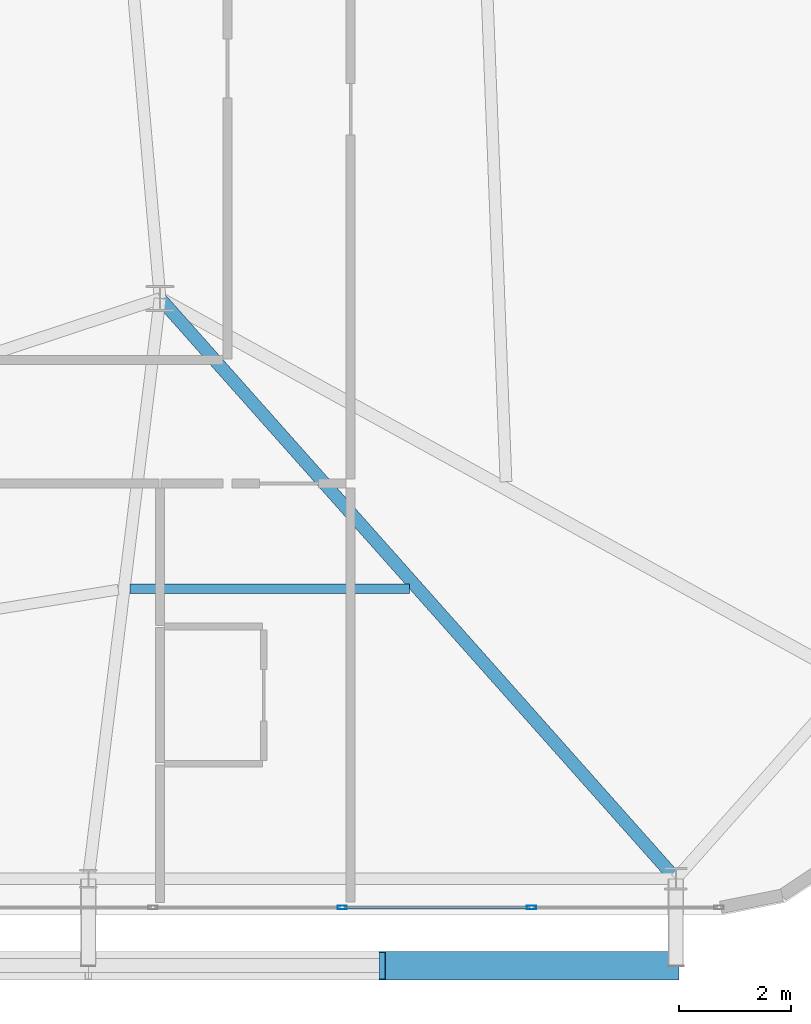
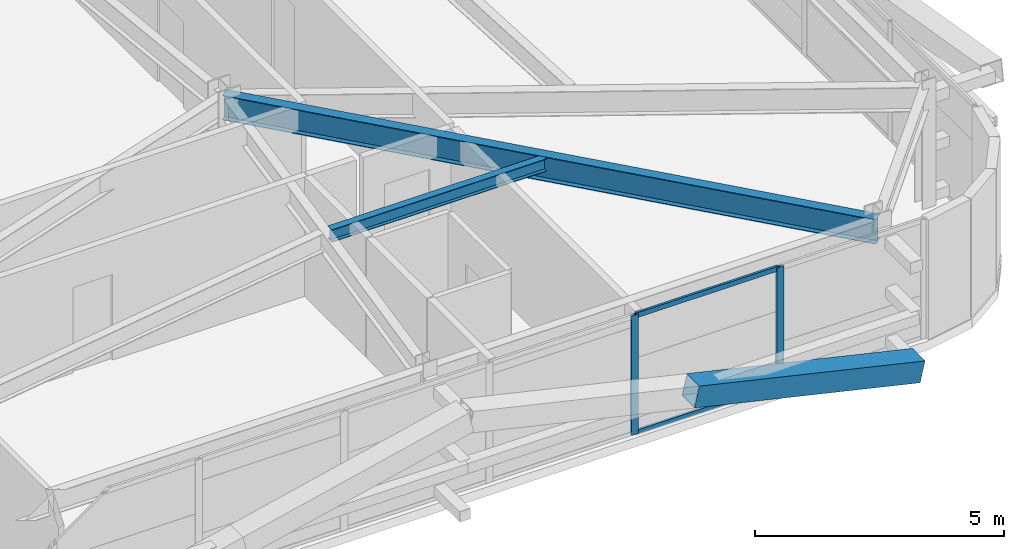
# One storey, part 23 of 58: 5 members, 2 beams, 1 element without a shape of its own.
"""IFC4 building model written with IfcOpenShell, lengths in metres."""

from ifc_helpers import new_model, si_unit, direction, frame, origin, origin_2d, place, context, subcontext, project, spatial, hollow_rectangle, i_section, extrude, source, transform, mapped, material, layer, layer_set, material_profile, profile_set, type_object, element, aggregate, save


model = new_model("IFC4")

# Units and contexts
model_context = context("Model", 3, precision=1e-05, world=origin(), true_north=direction((0.0, 1.0)))
body_context = subcontext(model_context, "Body", "Model", "MODEL_VIEW")
ifc_project = project(units=[si_unit("LENGTHUNIT", "METRE"), si_unit("AREAUNIT", "SQUARE_METRE"), si_unit("VOLUMEUNIT", "CUBIC_METRE"), si_unit("PLANEANGLEUNIT", "RADIAN"), si_unit("MASSUNIT", "GRAM", prefix="KILO")], contexts=[model_context])

# Site, building, storey
site_placement = place(None, origin())
site = spatial("IfcSite", under=ifc_project, at=site_placement, CompositionType="ELEMENT")
building_placement = place(site_placement, origin())
building = spatial("IfcBuilding", under=site, at=building_placement, Name="Taldren Reach Tower", CompositionType="ELEMENT")
storey_placement = place(building_placement, frame((0.0, 0.0, 32.550048828125)))
storey = spatial("IfcBuildingStorey", under=building, at=storey_placement, Name="L09", CompositionType="ELEMENT", Elevation=32.550048828125)

# Beams
ifc_material_1 = material(Name="Steel Gr 350 (350PLUS)", Category="steel")
ifc_material_profile_1 = material_profile(ifc_material_1, i_section(OverallWidth=0.22802734375, OverallDepth=0.60205078125, WebThickness=0.010498046875, FlangeThickness=0.014892578125, at=origin_2d()), Name="610UB101")
ifc_profile_set_1 = profile_set([ifc_material_profile_1], Name="Steel Gr 350 (350PLUS)")
beam_type_1 = type_object("IfcBeamType", Name="BM-UB610B", PredefinedType="BEAM", material=ifc_profile_set_1)
shared_shape_1 = source(origin(), body_context, "Body", "SweptSolid", [
    extrude(i_section(OverallWidth=0.22802734375, OverallDepth=0.60205078125, WebThickness=0.010498046875, FlangeThickness=0.014892578125, at=origin_2d()), origin(), (0.0, 0.0, 1.0), 13.847900390625),
])
beam_1_placement = place(storey_placement, frame((52.0, 12.5, 2.62890625), z_axis=(0.664358367375, -0.747414182164, 0.0), x_axis=(0.747414182164, 0.664358367375, 0.0)))
element("IfcBeam", 1, at=beam_1_placement, inside=storey, type_object=beam_type_1, Name="Primary floor girder B1-S6 L09", PredefinedType="BEAM", context=body_context, shape_type="MappedRepresentation", body=[
    mapped(shared_shape_1, transform((0.0, 0.0, 0.0), scale=1.0)),
])
ifc_material_2 = material(Name="Steel Gr 300 (300PLUS, 300 MPa)", Category="steel")
ifc_material_profile_2 = material_profile(ifc_material_2, i_section(OverallWidth=0.166015625, OverallDepth=0.306884765625, WebThickness=0.006591796875, FlangeThickness=0.01171875, at=origin_2d()), Name="310UB46.2")
ifc_profile_set_2 = profile_set([ifc_material_profile_2], Name="Steel Gr 300 (300PLUS, 300 MPa)")
beam_type_2 = type_object("IfcBeamType", Name="JS-UB310", PredefinedType="JOIST", material=ifc_profile_set_2)
shared_shape_2 = source(origin(), body_context, "Body", "SweptSolid", [
    extrude(i_section(OverallWidth=0.166015625, OverallDepth=0.306884765625, WebThickness=0.006591796875, FlangeThickness=0.01171875, at=origin_2d()), origin(), (0.0, 0.0, 1.0), 4.982177734375),
])
beam_2_placement = place(storey_placement, frame((51.46533203125, 7.324951171875, 2.7763671875), z_axis=(1.0, 0.0, 0.0), x_axis=(0.0, 1.0, 0.0)))
element("IfcBeam", 2, at=beam_2_placement, inside=storey, type_object=beam_type_2, Name="Secondary floor joist B1 J5 L09", PredefinedType="JOIST", context=body_context, shape_type="MappedRepresentation", body=[
    mapped(shared_shape_2, transform((0.0, 0.0, 0.0), scale=1.0)),
])

# Member
ifc_material_3 = material(Name="Steel Gr 450 (C450L0)", Category="steel")
ifc_material_profile_3 = material_profile(ifc_material_3, hollow_rectangle(XDim=0.510009765625, YDim=0.510009765625, WallThickness=0.02001953125, at=origin_2d()), Name="510x510x20.0SHS")
ifc_profile_set_3 = profile_set([ifc_material_profile_3], Name="Steel Gr 450 (C450L0)")
member_type_1 = type_object("IfcMemberType", Name="MB-EXO508", PredefinedType="BRACE", material=ifc_profile_set_3)
shared_shape_3 = source(origin(), body_context, "Body", "SweptSolid", [
    extrude(hollow_rectangle(XDim=0.510009765625, YDim=0.510009765625, WallThickness=0.02001953125, at=origin_2d()), origin(), (0.0, 0.0, 1.0), 5.37890625),
])
member_1_placement = place(storey_placement, frame((61.199951171875, 0.60009765625, 0.219970703125), z_axis=(-0.97415197996, 0.0, 0.225893603143), x_axis=(0.0, -1.0, 0.0)))
element("IfcMember", 3, at=member_1_placement, inside=storey, type_object=member_type_1, Name="Exoskeleton Diagrid Brace B1-S5 L09", PredefinedType="BRACE", context=body_context, shape_type="MappedRepresentation", body=[
    mapped(shared_shape_3, transform((0.0, 0.0, 0.0), scale=1.0)),
])

# Curtain wall, members
ifc_material_4 = material(Name="Aluminium and Low-E Glass Unitised System", Category="aluminium")
ifc_layer = layer(ifc_material_4, 0.159912109375)
ifc_layer_set = layer_set([ifc_layer], Name="Aluminium and Low-E Glass Unitised System")
curtain_wall_type = type_object("IfcCurtainWallType", Name="CW-SYS-2", PredefinedType="NOTDEFINED", material=ifc_layer_set)
curtain_wall_placement = place(storey_placement, origin())
curtain_wall = element("IfcCurtainWall", 4, at=curtain_wall_placement, inside=storey, type_object=curtain_wall_type, Name="Unitised curtain wall CW-L09-S", PredefinedType="NOTDEFINED")
ifc_material_5 = material(Name="Anodised Aluminium 6063-T6", Category="aluminium")
ifc_material_profile_4 = material_profile(ifc_material_5, hollow_rectangle(XDim=0.06494140625, YDim=0.1650390625, WallThickness=0.00390625, at=origin_2d()), Name="ALU-165x65x4RHS")
ifc_profile_set_4 = profile_set([ifc_material_profile_4], Name="Anodised Aluminium 6063-T6")
member_type_2 = type_object("IfcMemberType", Name="CW-MUL-165", PredefinedType="MULLION", material=ifc_profile_set_4)
shared_shape_4 = source(origin(), body_context, "Body", "SweptSolid", [
    extrude(hollow_rectangle(XDim=0.06494140625, YDim=0.1650390625, WallThickness=0.00390625, at=origin_2d()), origin(), (0.0, 0.0, 1.0), 2.929931640625),
])
member_2_placement = place(storey_placement, frame((55.25, 1.639892578125, 0.0), z_axis=(0.0, 0.0, 1.0), x_axis=(0.0, 1.0, 0.0)))
member_2 = element("IfcMember", 5, at=member_2_placement, type_object=member_type_2, Name="CW-2 mullion 15", PredefinedType="MULLION", context=body_context, shape_type="MappedRepresentation", body=[
    mapped(shared_shape_4, transform((0.0, 0.0, 0.0), scale=1.0)),
])
member_3_placement = place(storey_placement, frame((58.625, 1.639892578125, 0.0), z_axis=(0.0, 0.0, 1.0), x_axis=(0.0, 1.0, 0.0)))
member_3 = element("IfcMember", 6, at=member_3_placement, type_object=member_type_2, Name="CW-2 mullion 16", PredefinedType="MULLION", context=body_context, shape_type="MappedRepresentation", body=[
    mapped(shared_shape_4, transform((0.0, 0.0, 0.0), scale=1.0)),
])
ifc_material_profile_5 = material_profile(ifc_material_5, hollow_rectangle(XDim=0.054931640625, YDim=0.1201171875, WallThickness=0.0029296875, at=origin_2d()), Name="ALU-120x55x3RHS")
ifc_profile_set_5 = profile_set([ifc_material_profile_5], Name="Anodised Aluminium 6063-T6")
member_type_3 = type_object("IfcMemberType", Name="CW-TRN-135", PredefinedType="USERDEFINED", material=ifc_profile_set_5)
shared_shape_5 = source(origin(), body_context, "Body", "SweptSolid", [
    extrude(hollow_rectangle(XDim=0.054931640625, YDim=0.1201171875, WallThickness=0.0029296875, at=origin_2d()), origin(), (0.0, 0.0, 1.0), 3.31005859375),
])
member_4_placement = place(storey_placement, frame((55.282470703125, 1.639892578125, 0.02734375), z_axis=(1.0, 0.0, 0.0), x_axis=(0.0, 1.0, 0.0)))
member_4 = element("IfcMember", 7, at=member_4_placement, type_object=member_type_3, Name="CW-2 transom 15.1", ObjectType="TRANSOM", PredefinedType="USERDEFINED", context=body_context, shape_type="MappedRepresentation", body=[
    mapped(shared_shape_5, transform((0.0, 0.0, 0.0), scale=1.0)),
])
member_5_placement = place(storey_placement, frame((55.282470703125, 1.639892578125, 2.90234375), z_axis=(1.0, 0.0, 0.0), x_axis=(0.0, 1.0, 0.0)))
member_5 = element("IfcMember", 8, at=member_5_placement, type_object=member_type_3, Name="CW-2 transom 15.2", ObjectType="TRANSOM", PredefinedType="USERDEFINED", context=body_context, shape_type="MappedRepresentation", body=[
    mapped(shared_shape_5, transform((0.0, 0.0, 0.0), scale=1.0)),
])
aggregate(curtain_wall, [member_2, member_3, member_4, member_5])

save(model, "model.ifc")
